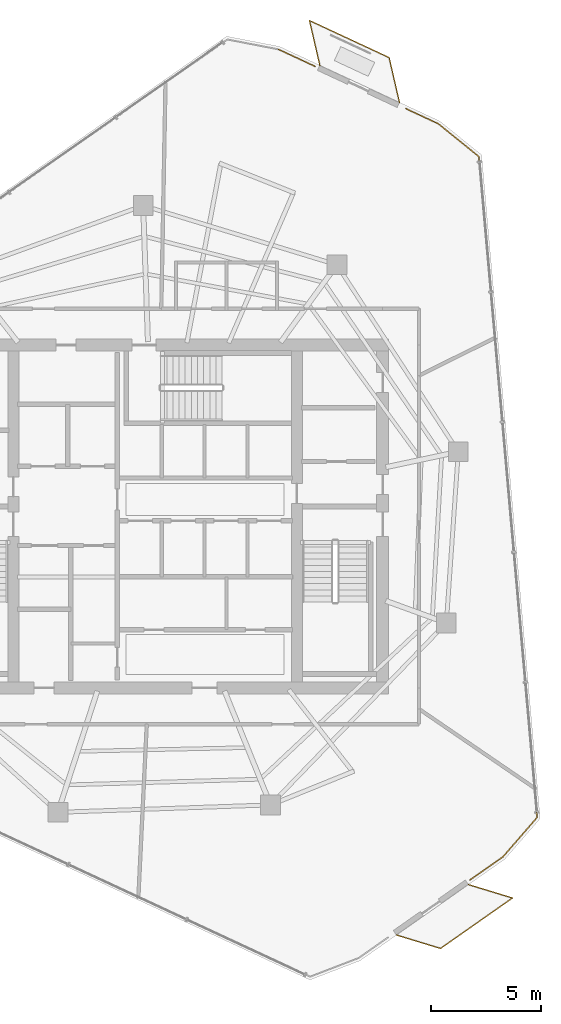
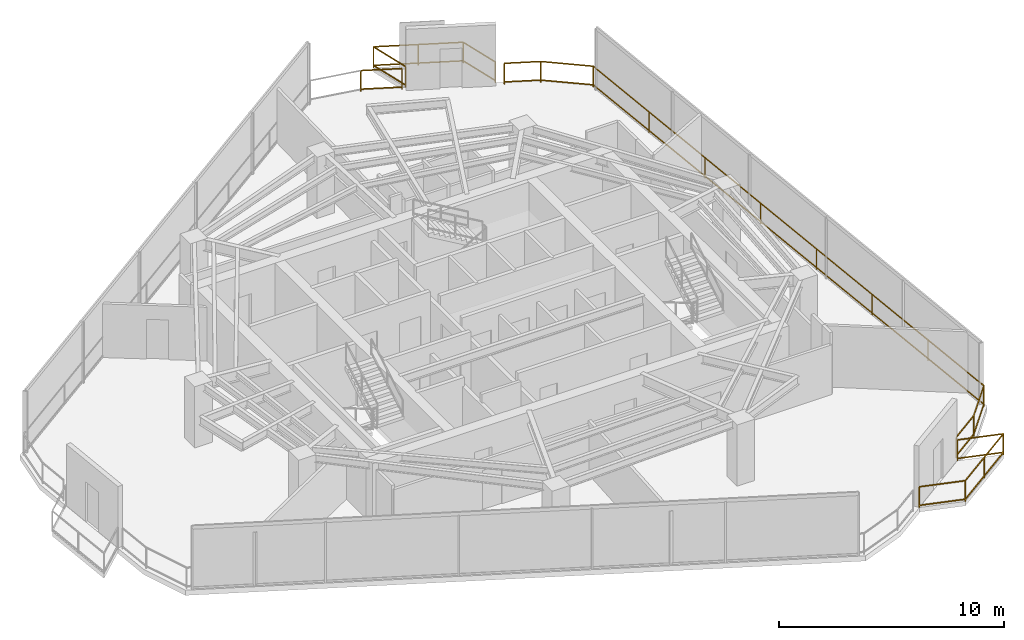
# One storey, part 20 of 20: 4 railings.
"""IFC4 building model written with IfcOpenShell, lengths in metres."""

from ifc_helpers import new_model, si_unit, direction, frame, origin, origin_2d, place, context, subcontext, project, spatial, rectangle, extrude, material, type_object, element, save


model = new_model("IFC4")

# Units and contexts
model_context = context("Model", 3, precision=1e-05, world=origin(), true_north=direction((0.0, 1.0)))
body_context = subcontext(model_context, "Body", "Model", "MODEL_VIEW")
ifc_project = project(units=[si_unit("LENGTHUNIT", "METRE"), si_unit("AREAUNIT", "SQUARE_METRE"), si_unit("VOLUMEUNIT", "CUBIC_METRE"), si_unit("PLANEANGLEUNIT", "RADIAN"), si_unit("MASSUNIT", "GRAM", prefix="KILO")], contexts=[model_context])

# Site, building, storey
site_placement = place(None, origin())
site = spatial("IfcSite", under=ifc_project, at=site_placement, CompositionType="ELEMENT")
building_placement = place(site_placement, origin())
building = spatial("IfcBuilding", under=site, at=building_placement, Name="Qarnah Convention Tower", CompositionType="ELEMENT")
storey_placement = place(building_placement, frame((0.0, 0.0, 198.60009765625)))
storey = spatial("IfcBuildingStorey", under=building, at=storey_placement, Name="L53", CompositionType="ELEMENT", Elevation=198.60009765625)

# Railings
ifc_material = material(Name="Black anodised aluminium", Category="aluminium")
railing_type = type_object("IfcRailingType", Name="RL-EXT-GUARD-1150", PredefinedType="GUARDRAIL", material=ifc_material)
railing_1_placement = place(storey_placement, frame((42.863037109375, 47.64697265625, 0.0)))
element("IfcRailing", 1, at=railing_1_placement, inside=storey, type_object=railing_type, Name="L53 slab-edge perimeter safety guard 01", PredefinedType="GUARDRAIL", context=body_context, shape_type="SweptSolid", body=[
    extrude(rectangle(XDim=0.048095703125, YDim=0.048095703125, at=origin_2d()), frame((0.0, 0.0, 1.1259765625), z_axis=(0.906732941685, -0.421705314721, 0.0), x_axis=(0.421705314721, 0.906732941685, 0.0)), (0.0, 0.0, 1.0), 1.835205078125),
    extrude(rectangle(XDim=0.048095703125, YDim=0.048095703125, at=origin_2d()), frame((0.0, 0.0, 0.1201171875), z_axis=(0.906732941685, -0.421705314721, 0.0), x_axis=(0.421705314721, 0.906732941685, 0.0)), (0.0, 0.0, 1.0), 1.835205078125),
    extrude(rectangle(XDim=0.0419921875, YDim=0.0419921875, at=origin_2d()), origin(), (0.0, 0.0, 1.0), 1.101806640625),
    extrude(rectangle(XDim=0.0419921875, YDim=0.0419921875, at=origin_2d()), frame((1.6640625, -0.77392578125, 0.0)), (0.0, 0.0, 1.0), 1.101806640625),
])
railing_2_placement = place(storey_placement, frame((48.658935546875, 44.948974609375, 0.0)))
element("IfcRailing", 2, at=railing_2_placement, inside=storey, type_object=railing_type, Name="L53 slab-edge perimeter safety guard 02", PredefinedType="GUARDRAIL", context=body_context, shape_type="SweptSolid", body=[
    extrude(rectangle(XDim=0.048095703125, YDim=0.048095703125, at=origin_2d()), frame((0.0, 0.0, 1.1259765625), z_axis=(0.906509594076, -0.4221852151, 0.0), x_axis=(0.4221852151, 0.906509594076, 0.0)), (0.0, 0.0, 1.0), 1.62255859375),
    extrude(rectangle(XDim=0.048095703125, YDim=0.048095703125, at=origin_2d()), frame((0.0, 0.0, 0.1201171875), z_axis=(0.906509594076, -0.4221852151, 0.0), x_axis=(0.4221852151, 0.906509594076, 0.0)), (0.0, 0.0, 1.0), 1.62255859375),
    extrude(rectangle(XDim=0.048095703125, YDim=0.048095703125, at=origin_2d()), frame((1.470947265625, -0.68505859375, 1.1259765625), z_axis=(0.777729790985, -0.628598737045, 0.0), x_axis=(0.628598737045, 0.777729790985, 0.0)), (0.0, 0.0, 1.0), 2.3671875),
    extrude(rectangle(XDim=0.048095703125, YDim=0.048095703125, at=origin_2d()), frame((1.470947265625, -0.68505859375, 0.1201171875), z_axis=(0.777729790985, -0.628598737045, 0.0), x_axis=(0.628598737045, 0.777729790985, 0.0)), (0.0, 0.0, 1.0), 2.3671875),
    extrude(rectangle(XDim=0.048095703125, YDim=0.048095703125, at=origin_2d()), frame((3.31201171875, -2.173095703125, 1.1259765625), z_axis=(0.087856988512, -0.996133098321, 0.0), x_axis=(0.996133098321, 0.087856988512, 0.0)), (0.0, 0.0, 1.0), 30.1865234375),
    extrude(rectangle(XDim=0.048095703125, YDim=0.048095703125, at=origin_2d()), frame((3.31201171875, -2.173095703125, 0.1201171875), z_axis=(0.087856988512, -0.996133098321, 0.0), x_axis=(0.996133098321, 0.087856988512, 0.0)), (0.0, 0.0, 1.0), 30.1865234375),
    extrude(rectangle(XDim=0.048095703125, YDim=0.048095703125, at=origin_2d()), frame((5.964111328125, -32.242919921875, 1.1259765625), z_axis=(-0.655460646586, -0.755229329924, 0.0), x_axis=(0.755229329924, -0.655460646586, 0.0)), (0.0, 0.0, 1.0), 2.3662109375),
    extrude(rectangle(XDim=0.048095703125, YDim=0.048095703125, at=origin_2d()), frame((5.964111328125, -32.242919921875, 0.1201171875), z_axis=(-0.655460646586, -0.755229329924, 0.0), x_axis=(0.755229329924, -0.655460646586, 0.0)), (0.0, 0.0, 1.0), 2.3662109375),
    extrude(rectangle(XDim=0.048095703125, YDim=0.048095703125, at=origin_2d()), frame((4.4130859375, -34.030029296875, 1.1259765625), z_axis=(-0.818744257764, -0.574158375693, 0.0), x_axis=(0.574158375693, -0.818744257764, 0.0)), (0.0, 0.0, 1.0), 1.835693359375),
    extrude(rectangle(XDim=0.048095703125, YDim=0.048095703125, at=origin_2d()), frame((4.4130859375, -34.030029296875, 0.1201171875), z_axis=(-0.818744257764, -0.574158375693, 0.0), x_axis=(0.574158375693, -0.818744257764, 0.0)), (0.0, 0.0, 1.0), 1.835693359375),
    extrude(rectangle(XDim=0.0419921875, YDim=0.0419921875, at=origin_2d()), origin(), (0.0, 0.0, 1.0), 1.101806640625),
    extrude(rectangle(XDim=0.0419921875, YDim=0.0419921875, at=origin_2d()), frame((1.470947265625, -0.68505859375, 0.0)), (0.0, 0.0, 1.0), 1.101806640625),
    extrude(rectangle(XDim=0.0419921875, YDim=0.0419921875, at=origin_2d()), frame((3.31201171875, -2.173095703125, 0.0)), (0.0, 0.0, 1.0), 1.101806640625),
    extrude(rectangle(XDim=0.0419921875, YDim=0.0419921875, at=origin_2d()), frame((3.69091796875, -6.46875, 0.0)), (0.0, 0.0, 1.0), 1.101806640625),
    extrude(rectangle(XDim=0.0419921875, YDim=0.0419921875, at=origin_2d()), frame((4.06982421875, -10.764404296875, 0.0)), (0.0, 0.0, 1.0), 1.101806640625),
    extrude(rectangle(XDim=0.0419921875, YDim=0.0419921875, at=origin_2d()), frame((4.44873046875, -15.06005859375, 0.0)), (0.0, 0.0, 1.0), 1.101806640625),
    extrude(rectangle(XDim=0.0419921875, YDim=0.0419921875, at=origin_2d()), frame((4.827392578125, -19.35595703125, 0.0)), (0.0, 0.0, 1.0), 1.101806640625),
    extrude(rectangle(XDim=0.0419921875, YDim=0.0419921875, at=origin_2d()), frame((5.206298828125, -23.651611328125, 0.0)), (0.0, 0.0, 1.0), 1.101806640625),
    extrude(rectangle(XDim=0.0419921875, YDim=0.0419921875, at=origin_2d()), frame((5.585205078125, -27.947265625, 0.0)), (0.0, 0.0, 1.0), 1.101806640625),
    extrude(rectangle(XDim=0.0419921875, YDim=0.0419921875, at=origin_2d()), frame((5.964111328125, -32.242919921875, 0.0)), (0.0, 0.0, 1.0), 1.101806640625),
    extrude(rectangle(XDim=0.0419921875, YDim=0.0419921875, at=origin_2d()), frame((4.4130859375, -34.030029296875, 0.0)), (0.0, 0.0, 1.0), 1.101806640625),
    extrude(rectangle(XDim=0.0419921875, YDim=0.0419921875, at=origin_2d()), frame((2.91015625, -35.083984375, 0.0)), (0.0, 0.0, 1.0), 1.101806640625),
])
railing_3_placement = place(storey_placement, frame((44.740966796875, 46.922119140625, 0.0)))
element("IfcRailing", 3, at=railing_3_placement, inside=storey, type_object=railing_type, Name="L53 balcony safety guard BAL-L53-C1", PredefinedType="GUARDRAIL", context=body_context, shape_type="SweptSolid", body=[
    extrude(rectangle(XDim=0.048095703125, YDim=0.048095703125, at=origin_2d()), frame((0.0, 0.0, 1.1259765625), z_axis=(-0.225847185193, 0.974162742534, 0.0), x_axis=(-0.974162742534, -0.225847185193, 0.0)), (0.0, 0.0, 1.0), 2.093994140625),
    extrude(rectangle(XDim=0.048095703125, YDim=0.048095703125, at=origin_2d()), frame((0.0, 0.0, 0.1201171875), z_axis=(-0.225847185193, 0.974162742534, 0.0), x_axis=(-0.974162742534, -0.225847185193, 0.0)), (0.0, 0.0, 1.0), 2.093994140625),
    extrude(rectangle(XDim=0.048095703125, YDim=0.048095703125, at=origin_2d()), frame((-0.472900390625, 2.039794921875, 1.1259765625), z_axis=(0.90662231443, -0.421943099217, 0.0), x_axis=(0.421943099217, 0.90662231443, 0.0)), (0.0, 0.0, 1.0), 4.00048828125),
    extrude(rectangle(XDim=0.048095703125, YDim=0.048095703125, at=origin_2d()), frame((-0.472900390625, 2.039794921875, 0.1201171875), z_axis=(0.90662231443, -0.421943099217, 0.0), x_axis=(0.421943099217, 0.90662231443, 0.0)), (0.0, 0.0, 1.0), 4.00048828125),
    extrude(rectangle(XDim=0.048095703125, YDim=0.048095703125, at=origin_2d()), frame((3.154052734375, 0.351806640625, 1.1259765625), z_axis=(0.225378913818, -0.974271186686, 0.0), x_axis=(0.974271186686, 0.225378913818, 0.0)), (0.0, 0.0, 1.0), 2.093994140625),
    extrude(rectangle(XDim=0.048095703125, YDim=0.048095703125, at=origin_2d()), frame((3.154052734375, 0.351806640625, 0.1201171875), z_axis=(0.225378913818, -0.974271186686, 0.0), x_axis=(0.974271186686, 0.225378913818, 0.0)), (0.0, 0.0, 1.0), 2.093994140625),
    extrude(rectangle(XDim=0.0419921875, YDim=0.0419921875, at=origin_2d()), origin(), (0.0, 0.0, 1.0), 1.101806640625),
    extrude(rectangle(XDim=0.0419921875, YDim=0.0419921875, at=origin_2d()), frame((-0.472900390625, 2.039794921875, 0.0)), (0.0, 0.0, 1.0), 1.101806640625),
    extrude(rectangle(XDim=0.0419921875, YDim=0.0419921875, at=origin_2d()), frame((1.340576171875, 1.19580078125, 0.0)), (0.0, 0.0, 1.0), 1.101806640625),
    extrude(rectangle(XDim=0.0419921875, YDim=0.0419921875, at=origin_2d()), frame((3.154052734375, 0.351806640625, 0.0)), (0.0, 0.0, 1.0), 1.101806640625),
    extrude(rectangle(XDim=0.0419921875, YDim=0.0419921875, at=origin_2d()), frame((3.6259765625, -1.688232421875, 0.0)), (0.0, 0.0, 1.0), 1.101806640625),
])
railing_4_placement = place(storey_placement, frame((51.5048828125, 9.655029296875, 0.0)))
element("IfcRailing", 4, at=railing_4_placement, inside=storey, type_object=railing_type, Name="L53 balcony safety guard BAL-L53-C3", PredefinedType="GUARDRAIL", context=body_context, shape_type="SweptSolid", body=[
    extrude(rectangle(XDim=0.048095703125, YDim=0.048095703125, at=origin_2d()), frame((0.0, 0.0, 1.1259765625), z_axis=(0.956614557417, -0.291356463009, 0.0), x_axis=(0.291356463009, 0.956614557417, 0.0)), (0.0, 0.0, 1.0), 2.093994140625),
    extrude(rectangle(XDim=0.048095703125, YDim=0.048095703125, at=origin_2d()), frame((0.0, 0.0, 0.1201171875), z_axis=(0.956614557417, -0.291356463009, 0.0), x_axis=(0.291356463009, 0.956614557417, 0.0)), (0.0, 0.0, 1.0), 2.093994140625),
    extrude(rectangle(XDim=0.048095703125, YDim=0.048095703125, at=origin_2d()), frame((2.003173828125, -0.610107421875, 1.1259765625), z_axis=(-0.81872984262, -0.574178931, 0.0), x_axis=(0.574178931, -0.81872984262, 0.0)), (0.0, 0.0, 1.0), 4.000244140625),
    extrude(rectangle(XDim=0.048095703125, YDim=0.048095703125, at=origin_2d()), frame((2.003173828125, -0.610107421875, 0.1201171875), z_axis=(-0.81872984262, -0.574178931, 0.0), x_axis=(0.574178931, -0.81872984262, 0.0)), (0.0, 0.0, 1.0), 4.000244140625),
    extrude(rectangle(XDim=0.048095703125, YDim=0.048095703125, at=origin_2d()), frame((-1.27197265625, -2.906982421875, 1.1259765625), z_axis=(-0.956507108538, 0.29170901823, 0.0), x_axis=(-0.29170901823, -0.956507108538, 0.0)), (0.0, 0.0, 1.0), 2.093994140625),
    extrude(rectangle(XDim=0.048095703125, YDim=0.048095703125, at=origin_2d()), frame((-1.27197265625, -2.906982421875, 0.1201171875), z_axis=(-0.956507108538, 0.29170901823, 0.0), x_axis=(-0.29170901823, -0.956507108538, 0.0)), (0.0, 0.0, 1.0), 2.093994140625),
    extrude(rectangle(XDim=0.0419921875, YDim=0.0419921875, at=origin_2d()), origin(), (0.0, 0.0, 1.0), 1.101806640625),
    extrude(rectangle(XDim=0.0419921875, YDim=0.0419921875, at=origin_2d()), frame((2.003173828125, -0.610107421875, 0.0)), (0.0, 0.0, 1.0), 1.101806640625),
    extrude(rectangle(XDim=0.0419921875, YDim=0.0419921875, at=origin_2d()), frame((0.36572265625, -1.758544921875, 0.0)), (0.0, 0.0, 1.0), 1.101806640625),
    extrude(rectangle(XDim=0.0419921875, YDim=0.0419921875, at=origin_2d()), frame((-1.27197265625, -2.906982421875, 0.0)), (0.0, 0.0, 1.0), 1.101806640625),
    extrude(rectangle(XDim=0.0419921875, YDim=0.0419921875, at=origin_2d()), frame((-3.27490234375, -2.296142578125, 0.0)), (0.0, 0.0, 1.0), 1.101806640625),
])

save(model, "model.ifc")
